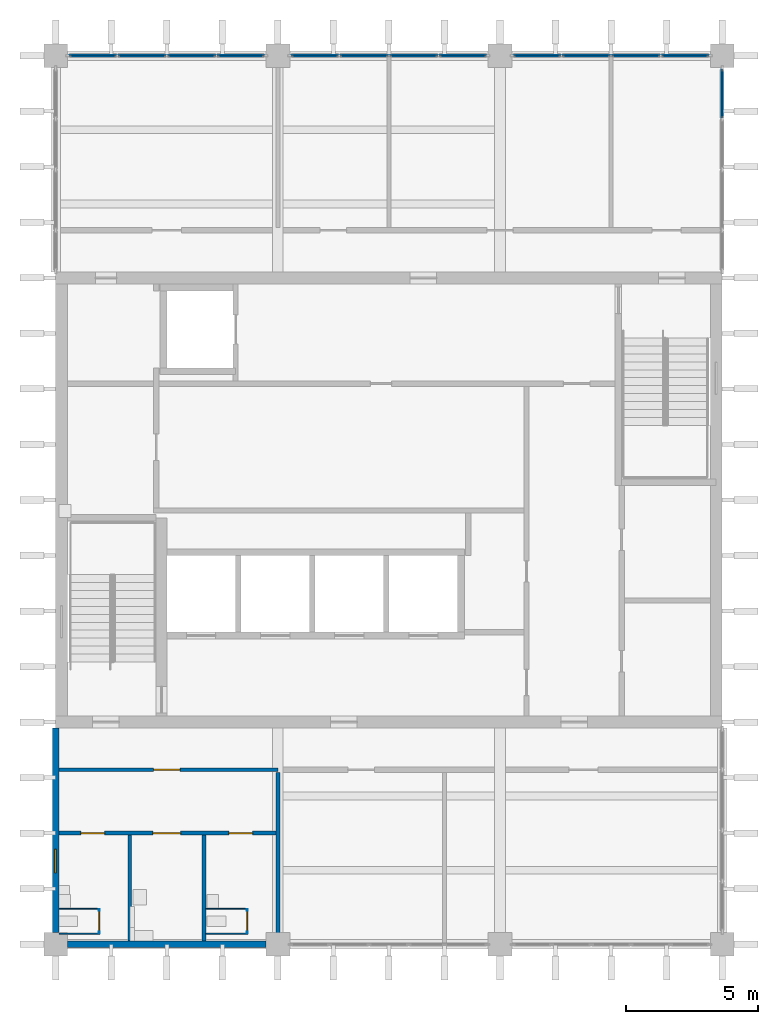
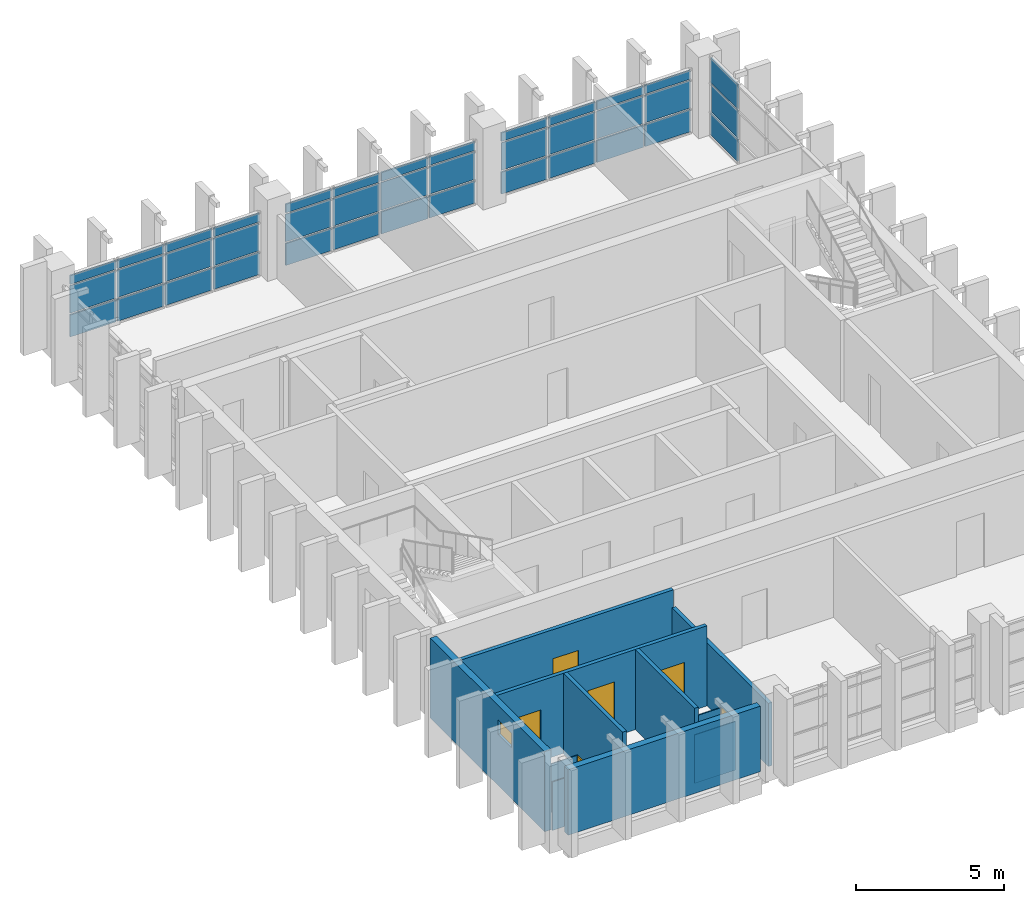
# One storey, part 6 of 10: 39 plates, 13 walls, 6 doors, 1 window, 7 openings, 4 elements without a shape of their own.
"""IFC4 building model written with IfcOpenShell, lengths in metres."""

import ifcopenshell
import ifcopenshell.guid

model = None  # the IFC model being written
_history = None  # IfcOwnerHistory: only IFC2X3 demands one
_inside = {}  # id of a spatial element -> (the spatial element, [elements in it])
_under = {}  # id of a project, library or spatial element -> (it, [spatial elements below it])
_declared = {}  # id of a project -> (the project, [libraries it declares])
_typed = {}  # id of a type object -> (the type object, [elements of that type])
_made_of = {}  # id of a material, layer set ... -> (it, [elements and type objects made of it])


def new_model(schema):
    """Start an empty IFC model of exactly this schema.

    Asked for "IFC4X3", IfcOpenShell would pick the latest addendum, in which some entities
    have other attributes; the version numbers below select the first issue.
    IFC2X3 requires an IfcOwnerHistory on every rooted entity: one is made here for all.
    """
    global model, _history
    if schema == "IFC4X3":
        model = ifcopenshell.file(schema_version=(4, 3, 0, 0))
    else:
        model = ifcopenshell.file(schema=schema)
    _inside.clear()
    _under.clear()
    _declared.clear()
    _typed.clear()
    _made_of.clear()
    _history = None
    if model.schema == "IFC2X3":
        org = make("IfcOrganization", Name="unknown")
        user = make(
            "IfcPersonAndOrganization",
            ThePerson=make("IfcPerson", FamilyName="unknown"),
            TheOrganization=org,
        )
        app = make(
            "IfcApplication",
            ApplicationDeveloper=org,
            Version="unknown",
            ApplicationFullName="unknown",
            ApplicationIdentifier="unknown",
        )
        _history = make(
            "IfcOwnerHistory",
            OwningUser=user,
            OwningApplication=app,
            ChangeAction="ADDED",
            CreationDate=0,
        )
    return model


def make(cls, **values):
    """One entity of the class cls with the attributes given. An attribute that is None is left unset."""
    return model.create_entity(
        cls, **{name: value for name, value in values.items() if value is not None}
    )


def rooted(cls, **values):
    """An entity with a GlobalId (a new one), such as an element, a storey or a relation."""
    return make(cls, GlobalId=ifcopenshell.guid.new(), OwnerHistory=_history, **values)


def si_unit(unit_type, name, prefix=None):
    """IfcSIUnit, for example si_unit("LENGTHUNIT", "METRE", prefix="MILLI")."""
    return make("IfcSIUnit", UnitType=unit_type, Prefix=prefix, Name=name)


def assignment(units):
    """IfcUnitAssignment: the units of a project."""
    return None if units is None else make("IfcUnitAssignment", Units=units)


def point(xyz):
    """IfcCartesianPoint."""
    return None if xyz is None else make("IfcCartesianPoint", Coordinates=xyz)


def direction(xyz):
    """IfcDirection."""
    return None if xyz is None else make("IfcDirection", DirectionRatios=xyz)


def frame(location, z_axis=None, x_axis=None):
    """IfcAxis2Placement3D, a coordinate frame: its origin and axes. An axis left out is left unset."""
    return make(
        "IfcAxis2Placement3D",
        Location=point(location),
        Axis=direction(z_axis),
        RefDirection=direction(x_axis),
    )


def frame_2d(location, x_axis=None):
    """IfcAxis2Placement2D, a coordinate frame in the plane: its origin and x axis."""
    return make(
        "IfcAxis2Placement2D", Location=point(location), RefDirection=direction(x_axis)
    )


def origin():
    """The frame at (0, 0, 0) with its axes left unset."""
    return frame((0.0, 0.0, 0.0))


def origin_2d():
    """The frame at (0, 0) in the plane with its x axis left unset."""
    return frame_2d((0.0, 0.0))


def place(relative_to, where):
    """IfcLocalPlacement: puts the frame where relative to a parent placement (None: the world)."""
    return make(
        "IfcLocalPlacement", PlacementRelTo=relative_to, RelativePlacement=where
    )


def context(
    kind, dimensions, precision=None, world=None, true_north=None, identifier=None
):
    """IfcGeometricRepresentationContext, for example the 3D "Model" context."""
    return make(
        "IfcGeometricRepresentationContext",
        ContextIdentifier=identifier,
        ContextType=kind,
        CoordinateSpaceDimension=dimensions,
        Precision=precision,
        WorldCoordinateSystem=world,
        TrueNorth=true_north,
    )


def subcontext(parent, identifier, kind, view, scale=None):
    """IfcGeometricRepresentationSubContext, for example "Body" below "Model"."""
    return make(
        "IfcGeometricRepresentationSubContext",
        ContextIdentifier=identifier,
        ContextType=kind,
        ParentContext=parent,
        TargetScale=scale,
        TargetView=view,
    )


def project(units=None, contexts=None):
    """IfcProject with its units and contexts."""
    return rooted(
        "IfcProject",
        Name="project",
        RepresentationContexts=contexts,
        UnitsInContext=assignment(units),
    )


def spatial(cls, under=None, at=None, **own):
    """A site, building, storey or space (cls), placed at a placement, below another one or the project."""
    s = rooted(cls, ObjectPlacement=at, **own)
    if under is not None:
        _under.setdefault(under.id(), (under, []))[1].append(s)
    return s


def profile(cls, at=None, kind="AREA", **sizes):
    """A parametric profile (cls). Its sizes go by their IFC names, for example OverallWidth=200.0."""
    return make(cls, ProfileType=kind, Position=at, **sizes)


def rectangle(**sizes):
    """IfcRectangleProfileDef."""
    return profile("IfcRectangleProfileDef", **sizes)


def extrude(swept, where, along, depth):
    """IfcExtrudedAreaSolid: the profile swept, set in the frame where, extruded along a direction by depth."""
    return make(
        "IfcExtrudedAreaSolid",
        SweptArea=swept,
        Position=where,
        ExtrudedDirection=direction(along),
        Depth=depth,
    )


def shape(context_of_items, identifier, shape_type, items):
    """IfcShapeRepresentation: the items that make up one representation, for example the "Body"."""
    return make(
        "IfcShapeRepresentation",
        ContextOfItems=context_of_items,
        RepresentationIdentifier=identifier,
        RepresentationType=shape_type,
        Items=items,
    )


def material(Name=None, Category=None):
    """IfcMaterial."""
    return make("IfcMaterial", Name=Name, Category=Category)


def layer(
    of_material, thickness, ventilated=None, Name=None, Category=None, Priority=None
):
    """IfcMaterialLayer: one layer of a wall or slab, of a material (None: an air gap)."""
    return make(
        "IfcMaterialLayer",
        Material=of_material,
        LayerThickness=thickness,
        IsVentilated=ventilated,
        Name=Name,
        Category=Category,
        Priority=Priority,
    )


def layer_set(layers, Name=None):
    """IfcMaterialLayerSet."""
    return make("IfcMaterialLayerSet", MaterialLayers=layers, LayerSetName=Name)


def made_of(thing, what):
    """Note that an element or type object is made of a material, layer set ...; save() writes the relation."""
    if what is not None:
        _made_of.setdefault(what.id(), (what, []))[1].append(thing)
    return thing


def type_object(cls, material=None, **own):
    """A type object (cls), such as IfcWallType, which elements share."""
    return made_of(rooted(cls, **own), material)


def element(
    cls,
    number,
    at=None,
    inside=None,
    cuts=None,
    type_object=None,
    material=None,
    context=None,
    identifier="Body",
    shape_type=None,
    held_by="IfcProductDefinitionShape",
    body=None,
    shapes=None,
    **own,
):
    """One element of the class cls, such as IfcWall. Its Tag is "e" and its number.

    at: its placement. inside: the storey or other place that contains it. cuts: it is an
    opening in that element (IfcRelVoidsElement). A single representation is given by context,
    identifier, shape_type and body (its items); several are given by shapes. held_by: the class
    of the entity that holds the representations. save() writes the other relations.
    """
    e = rooted(cls, Tag="e%d" % number, ObjectPlacement=at, **own)
    if body is not None:
        shapes = [shape(context, identifier, shape_type, body)]
    if shapes is not None:
        e.Representation = make(held_by, Representations=shapes)
    if inside is not None:
        _inside.setdefault(inside.id(), (inside, []))[1].append(e)
    if cuts is not None:
        rooted(
            "IfcRelVoidsElement", RelatingBuildingElement=cuts, RelatedOpeningElement=e
        )
    if type_object is not None:
        _typed.setdefault(type_object.id(), (type_object, []))[1].append(e)
    return made_of(e, material)


def fill(opening, filler):
    """IfcRelFillsElement: the door or window that sits in an opening."""
    return rooted(
        "IfcRelFillsElement",
        RelatingOpeningElement=opening,
        RelatedBuildingElement=filler,
    )


def aggregate(whole, parts):
    """IfcRelAggregates: a whole, such as a stair, and the parts it consists of."""
    return rooted("IfcRelAggregates", RelatingObject=whole, RelatedObjects=parts)


def save(model, path):
    """Write the relations noted so far, then the file.

    IfcRelAggregates (storeys below a building ...), IfcRelContainedInSpatialStructure (elements
    in a storey), IfcRelDefinesByType, IfcRelAssociatesMaterial and IfcRelDeclares: one each for
    every whole, place, type object, material and project.
    """
    for whole, parts in _under.values():
        aggregate(whole, parts)
    for where, things in _inside.values():
        rooted(
            "IfcRelContainedInSpatialStructure",
            RelatedElements=things,
            RelatingStructure=where,
        )
    for kind, things in _typed.values():
        rooted("IfcRelDefinesByType", RelatedObjects=things, RelatingType=kind)
    for what, things in _made_of.values():
        rooted("IfcRelAssociatesMaterial", RelatedObjects=things, RelatingMaterial=what)
    for by, libraries in _declared.values():
        rooted("IfcRelDeclares", RelatingContext=by, RelatedDefinitions=libraries)
    model.write(path)


model = new_model("IFC4")

# Units and contexts
model_context = context("Model", 3, precision=1e-05, world=origin(), true_north=direction((0.0, 1.0)))
body_context = subcontext(model_context, "Body", "Model", "MODEL_VIEW")
ifc_project = project(units=[si_unit("LENGTHUNIT", "METRE"), si_unit("AREAUNIT", "SQUARE_METRE"), si_unit("VOLUMEUNIT", "CUBIC_METRE"), si_unit("PLANEANGLEUNIT", "RADIAN"), si_unit("MASSUNIT", "GRAM", prefix="KILO")], contexts=[model_context])

# Site, building, storey
site_placement = place(None, origin())
site = spatial("IfcSite", under=ifc_project, at=site_placement, CompositionType="ELEMENT")
building_placement = place(site_placement, origin())
building = spatial("IfcBuilding", under=site, at=building_placement, Name="Rulbaag Community and Learning Centre", CompositionType="ELEMENT")
storey_placement = place(building_placement, frame((0.0, 0.0, 28.800048828125)))
storey = spatial("IfcBuildingStorey", under=building, at=storey_placement, Name="L07", CompositionType="ELEMENT", Elevation=28.800048828125)

# Curtain wall, plates
ifc_material_1 = material(Name="Aluminium", Category="aluminium")
ifc_layer_1 = layer(ifc_material_1, 0.14990234375)
ifc_layer_set_1 = layer_set([ifc_layer_1], Name="CW-T")
curtain_wall_type = type_object("IfcCurtainWallType", Name="CW-T", PredefinedType="USERDEFINED", material=ifc_layer_set_1)
curtain_wall_1_placement = place(storey_placement, origin())
curtain_wall_1 = element("IfcCurtainWall", 1, at=curtain_wall_1_placement, inside=storey, type_object=curtain_wall_type, Name="GT-L07-01", ObjectType="UNITISED CURTAIN WALL", PredefinedType="USERDEFINED")
ifc_layer_2 = layer(ifc_material_1, 0.06005859375)
ifc_layer_set_2 = layer_set([ifc_layer_2], Name="CW-T-SPN")
plate_type_1 = type_object("IfcPlateType", Name="CW-T-SPN", PredefinedType="CURTAIN_PANEL", material=ifc_layer_set_2)
plate_1_placement = place(storey_placement, frame((144.203857421875, 117.60009765625, 0.06494140625), z_axis=(0.0, 0.0, 1.0), x_axis=(1.0, 0.0, 0.0)))
plate_1 = element("IfcPlate", 2, at=plate_1_placement, type_object=plate_type_1, Name="GT spandrel panel", PredefinedType="CURTAIN_PANEL", context=body_context, shape_type="SweptSolid", body=[
    extrude(rectangle(XDim=1.777587890625, YDim=0.06005859375, at=origin_2d()), origin(), (0.0, 0.0, 1.0), 0.902587890625),
])
plate_2_placement = place(storey_placement, frame((144.203857421875, 117.60009765625, 2.232421875), z_axis=(0.0, 0.0, 1.0), x_axis=(1.0, 0.0, 0.0)))
plate_2 = element("IfcPlate", 3, at=plate_2_placement, type_object=plate_type_1, Name="GT spandrel panel", PredefinedType="CURTAIN_PANEL", context=body_context, shape_type="SweptSolid", body=[
    extrude(rectangle(XDim=1.777587890625, YDim=0.06005859375, at=origin_2d()), origin(), (0.0, 0.0, 1.0), 0.3525390625),
])
plate_3_placement = place(storey_placement, frame((146.0625, 117.60009765625, 0.06494140625), z_axis=(0.0, 0.0, 1.0), x_axis=(1.0, 0.0, 0.0)))
plate_3 = element("IfcPlate", 4, at=plate_3_placement, type_object=plate_type_1, Name="GT spandrel panel", PredefinedType="CURTAIN_PANEL", context=body_context, shape_type="SweptSolid", body=[
    extrude(rectangle(XDim=1.81005859375, YDim=0.06005859375, at=origin_2d()), origin(), (0.0, 0.0, 1.0), 0.902587890625),
])
plate_4_placement = place(storey_placement, frame((146.0625, 117.60009765625, 2.232421875), z_axis=(0.0, 0.0, 1.0), x_axis=(1.0, 0.0, 0.0)))
plate_4 = element("IfcPlate", 5, at=plate_4_placement, type_object=plate_type_1, Name="GT spandrel panel", PredefinedType="CURTAIN_PANEL", context=body_context, shape_type="SweptSolid", body=[
    extrude(rectangle(XDim=1.81005859375, YDim=0.06005859375, at=origin_2d()), origin(), (0.0, 0.0, 1.0), 0.3525390625),
])
plate_5_placement = place(storey_placement, frame((147.9375, 117.60009765625, 0.06494140625), z_axis=(0.0, 0.0, 1.0), x_axis=(1.0, 0.0, 0.0)))
plate_5 = element("IfcPlate", 6, at=plate_5_placement, type_object=plate_type_1, Name="GT spandrel panel", PredefinedType="CURTAIN_PANEL", context=body_context, shape_type="SweptSolid", body=[
    extrude(rectangle(XDim=1.81005859375, YDim=0.06005859375, at=origin_2d()), origin(), (0.0, 0.0, 1.0), 0.902587890625),
])
plate_6_placement = place(storey_placement, frame((147.9375, 117.60009765625, 2.232421875), z_axis=(0.0, 0.0, 1.0), x_axis=(1.0, 0.0, 0.0)))
plate_6 = element("IfcPlate", 7, at=plate_6_placement, type_object=plate_type_1, Name="GT spandrel panel", PredefinedType="CURTAIN_PANEL", context=body_context, shape_type="SweptSolid", body=[
    extrude(rectangle(XDim=1.81005859375, YDim=0.06005859375, at=origin_2d()), origin(), (0.0, 0.0, 1.0), 0.3525390625),
])
plate_7_placement = place(storey_placement, frame((149.796142578125, 117.60009765625, 0.06494140625), z_axis=(0.0, 0.0, 1.0), x_axis=(1.0, 0.0, 0.0)))
plate_7 = element("IfcPlate", 8, at=plate_7_placement, type_object=plate_type_1, Name="GT spandrel panel", PredefinedType="CURTAIN_PANEL", context=body_context, shape_type="SweptSolid", body=[
    extrude(rectangle(XDim=1.777587890625, YDim=0.06005859375, at=origin_2d()), origin(), (0.0, 0.0, 1.0), 0.902587890625),
])
plate_8_placement = place(storey_placement, frame((149.796142578125, 117.60009765625, 2.232421875), z_axis=(0.0, 0.0, 1.0), x_axis=(1.0, 0.0, 0.0)))
plate_8 = element("IfcPlate", 9, at=plate_8_placement, type_object=plate_type_1, Name="GT spandrel panel", PredefinedType="CURTAIN_PANEL", context=body_context, shape_type="SweptSolid", body=[
    extrude(rectangle(XDim=1.777587890625, YDim=0.06005859375, at=origin_2d()), origin(), (0.0, 0.0, 1.0), 0.3525390625),
])

curtain_wall_2_placement = place(storey_placement, origin())
curtain_wall_2 = element("IfcCurtainWall", 10, at=curtain_wall_2_placement, inside=storey, type_object=curtain_wall_type, Name="GT-L07-02", ObjectType="UNITISED CURTAIN WALL", PredefinedType="USERDEFINED")
plate_9_placement = place(storey_placement, frame((152.603759765625, 117.60009765625, 0.06494140625), z_axis=(0.0, 0.0, 1.0), x_axis=(1.0, 0.0, 0.0)))
plate_9 = element("IfcPlate", 11, at=plate_9_placement, type_object=plate_type_1, Name="GT spandrel panel", PredefinedType="CURTAIN_PANEL", context=body_context, shape_type="SweptSolid", body=[
    extrude(rectangle(XDim=1.777587890625, YDim=0.06005859375, at=origin_2d()), origin(), (0.0, 0.0, 1.0), 0.902587890625),
])
plate_10_placement = place(storey_placement, frame((152.603759765625, 117.60009765625, 2.232421875), z_axis=(0.0, 0.0, 1.0), x_axis=(1.0, 0.0, 0.0)))
plate_10 = element("IfcPlate", 12, at=plate_10_placement, type_object=plate_type_1, Name="GT spandrel panel", PredefinedType="CURTAIN_PANEL", context=body_context, shape_type="SweptSolid", body=[
    extrude(rectangle(XDim=1.777587890625, YDim=0.06005859375, at=origin_2d()), origin(), (0.0, 0.0, 1.0), 0.3525390625),
])
plate_11_placement = place(storey_placement, frame((154.46240234375, 117.60009765625, 0.06494140625), z_axis=(0.0, 0.0, 1.0), x_axis=(1.0, 0.0, 0.0)))
plate_11 = element("IfcPlate", 13, at=plate_11_placement, type_object=plate_type_1, Name="GT spandrel panel", PredefinedType="CURTAIN_PANEL", context=body_context, shape_type="SweptSolid", body=[
    extrude(rectangle(XDim=1.81005859375, YDim=0.06005859375, at=origin_2d()), origin(), (0.0, 0.0, 1.0), 0.902587890625),
])
plate_12_placement = place(storey_placement, frame((154.46240234375, 117.60009765625, 2.232421875), z_axis=(0.0, 0.0, 1.0), x_axis=(1.0, 0.0, 0.0)))
plate_12 = element("IfcPlate", 14, at=plate_12_placement, type_object=plate_type_1, Name="GT spandrel panel", PredefinedType="CURTAIN_PANEL", context=body_context, shape_type="SweptSolid", body=[
    extrude(rectangle(XDim=1.81005859375, YDim=0.06005859375, at=origin_2d()), origin(), (0.0, 0.0, 1.0), 0.3525390625),
])
plate_13_placement = place(storey_placement, frame((156.33740234375, 117.60009765625, 0.06494140625), z_axis=(0.0, 0.0, 1.0), x_axis=(1.0, 0.0, 0.0)))
plate_13 = element("IfcPlate", 15, at=plate_13_placement, type_object=plate_type_1, Name="GT spandrel panel", PredefinedType="CURTAIN_PANEL", context=body_context, shape_type="SweptSolid", body=[
    extrude(rectangle(XDim=1.81005859375, YDim=0.06005859375, at=origin_2d()), origin(), (0.0, 0.0, 1.0), 0.902587890625),
])
plate_14_placement = place(storey_placement, frame((156.33740234375, 117.60009765625, 2.232421875), z_axis=(0.0, 0.0, 1.0), x_axis=(1.0, 0.0, 0.0)))
plate_14 = element("IfcPlate", 16, at=plate_14_placement, type_object=plate_type_1, Name="GT spandrel panel", PredefinedType="CURTAIN_PANEL", context=body_context, shape_type="SweptSolid", body=[
    extrude(rectangle(XDim=1.81005859375, YDim=0.06005859375, at=origin_2d()), origin(), (0.0, 0.0, 1.0), 0.3525390625),
])
plate_15_placement = place(storey_placement, frame((158.1962890625, 117.60009765625, 0.06494140625), z_axis=(0.0, 0.0, 1.0), x_axis=(1.0, 0.0, 0.0)))
plate_15 = element("IfcPlate", 17, at=plate_15_placement, type_object=plate_type_1, Name="GT spandrel panel", PredefinedType="CURTAIN_PANEL", context=body_context, shape_type="SweptSolid", body=[
    extrude(rectangle(XDim=1.777587890625, YDim=0.06005859375, at=origin_2d()), origin(), (0.0, 0.0, 1.0), 0.902587890625),
])
plate_16_placement = place(storey_placement, frame((158.1962890625, 117.60009765625, 2.232421875), z_axis=(0.0, 0.0, 1.0), x_axis=(1.0, 0.0, 0.0)))
plate_16 = element("IfcPlate", 18, at=plate_16_placement, type_object=plate_type_1, Name="GT spandrel panel", PredefinedType="CURTAIN_PANEL", context=body_context, shape_type="SweptSolid", body=[
    extrude(rectangle(XDim=1.777587890625, YDim=0.06005859375, at=origin_2d()), origin(), (0.0, 0.0, 1.0), 0.3525390625),
])

curtain_wall_3_placement = place(storey_placement, origin())
curtain_wall_3 = element("IfcCurtainWall", 19, at=curtain_wall_3_placement, inside=storey, type_object=curtain_wall_type, Name="GT-L07-03", ObjectType="UNITISED CURTAIN WALL", PredefinedType="USERDEFINED")
plate_17_placement = place(storey_placement, frame((161.003662109375, 117.60009765625, 0.06494140625), z_axis=(0.0, 0.0, 1.0), x_axis=(1.0, 0.0, 0.0)))
plate_17 = element("IfcPlate", 20, at=plate_17_placement, type_object=plate_type_1, Name="GT spandrel panel", PredefinedType="CURTAIN_PANEL", context=body_context, shape_type="SweptSolid", body=[
    extrude(rectangle(XDim=1.777587890625, YDim=0.06005859375, at=origin_2d()), origin(), (0.0, 0.0, 1.0), 0.902587890625),
])
plate_18_placement = place(storey_placement, frame((161.003662109375, 117.60009765625, 2.232421875), z_axis=(0.0, 0.0, 1.0), x_axis=(1.0, 0.0, 0.0)))
plate_18 = element("IfcPlate", 21, at=plate_18_placement, type_object=plate_type_1, Name="GT spandrel panel", PredefinedType="CURTAIN_PANEL", context=body_context, shape_type="SweptSolid", body=[
    extrude(rectangle(XDim=1.777587890625, YDim=0.06005859375, at=origin_2d()), origin(), (0.0, 0.0, 1.0), 0.3525390625),
])
plate_19_placement = place(storey_placement, frame((162.862548828125, 117.60009765625, 0.06494140625), z_axis=(0.0, 0.0, 1.0), x_axis=(1.0, 0.0, 0.0)))
plate_19 = element("IfcPlate", 22, at=plate_19_placement, type_object=plate_type_1, Name="GT spandrel panel", PredefinedType="CURTAIN_PANEL", context=body_context, shape_type="SweptSolid", body=[
    extrude(rectangle(XDim=1.81005859375, YDim=0.06005859375, at=origin_2d()), origin(), (0.0, 0.0, 1.0), 0.902587890625),
])
plate_20_placement = place(storey_placement, frame((162.862548828125, 117.60009765625, 2.232421875), z_axis=(0.0, 0.0, 1.0), x_axis=(1.0, 0.0, 0.0)))
plate_20 = element("IfcPlate", 23, at=plate_20_placement, type_object=plate_type_1, Name="GT spandrel panel", PredefinedType="CURTAIN_PANEL", context=body_context, shape_type="SweptSolid", body=[
    extrude(rectangle(XDim=1.81005859375, YDim=0.06005859375, at=origin_2d()), origin(), (0.0, 0.0, 1.0), 0.3525390625),
])
plate_21_placement = place(storey_placement, frame((164.737548828125, 117.60009765625, 0.06494140625), z_axis=(0.0, 0.0, 1.0), x_axis=(1.0, 0.0, 0.0)))
plate_21 = element("IfcPlate", 24, at=plate_21_placement, type_object=plate_type_1, Name="GT spandrel panel", PredefinedType="CURTAIN_PANEL", context=body_context, shape_type="SweptSolid", body=[
    extrude(rectangle(XDim=1.81005859375, YDim=0.06005859375, at=origin_2d()), origin(), (0.0, 0.0, 1.0), 0.902587890625),
])
plate_22_placement = place(storey_placement, frame((164.737548828125, 117.60009765625, 2.232421875), z_axis=(0.0, 0.0, 1.0), x_axis=(1.0, 0.0, 0.0)))
plate_22 = element("IfcPlate", 25, at=plate_22_placement, type_object=plate_type_1, Name="GT spandrel panel", PredefinedType="CURTAIN_PANEL", context=body_context, shape_type="SweptSolid", body=[
    extrude(rectangle(XDim=1.81005859375, YDim=0.06005859375, at=origin_2d()), origin(), (0.0, 0.0, 1.0), 0.3525390625),
])
plate_23_placement = place(storey_placement, frame((166.59619140625, 117.60009765625, 0.06494140625), z_axis=(0.0, 0.0, 1.0), x_axis=(1.0, 0.0, 0.0)))
plate_23 = element("IfcPlate", 26, at=plate_23_placement, type_object=plate_type_1, Name="GT spandrel panel", PredefinedType="CURTAIN_PANEL", context=body_context, shape_type="SweptSolid", body=[
    extrude(rectangle(XDim=1.777587890625, YDim=0.06005859375, at=origin_2d()), origin(), (0.0, 0.0, 1.0), 0.902587890625),
])
plate_24_placement = place(storey_placement, frame((166.59619140625, 117.60009765625, 2.232421875), z_axis=(0.0, 0.0, 1.0), x_axis=(1.0, 0.0, 0.0)))
plate_24 = element("IfcPlate", 27, at=plate_24_placement, type_object=plate_type_1, Name="GT spandrel panel", PredefinedType="CURTAIN_PANEL", context=body_context, shape_type="SweptSolid", body=[
    extrude(rectangle(XDim=1.777587890625, YDim=0.06005859375, at=origin_2d()), origin(), (0.0, 0.0, 1.0), 0.3525390625),
])

curtain_wall_4_placement = place(storey_placement, origin())
curtain_wall_4 = element("IfcCurtainWall", 28, at=curtain_wall_4_placement, inside=storey, type_object=curtain_wall_type, Name="GT-L07-06", ObjectType="UNITISED CURTAIN WALL", PredefinedType="USERDEFINED")
plate_25_placement = place(storey_placement, frame((168.0, 116.168212890625, 0.06494140625), z_axis=(0.0, 0.0, 1.0), x_axis=(0.0, 1.0, 0.0)))
plate_25 = element("IfcPlate", 29, at=plate_25_placement, type_object=plate_type_1, Name="GT spandrel panel", PredefinedType="CURTAIN_PANEL", context=body_context, shape_type="SweptSolid", body=[
    extrude(rectangle(XDim=1.833740234375, YDim=0.06005859375, at=origin_2d()), origin(), (0.0, 0.0, 1.0), 0.902587890625),
])
plate_26_placement = place(storey_placement, frame((168.0, 116.168212890625, 2.232421875), z_axis=(0.0, 0.0, 1.0), x_axis=(0.0, 1.0, 0.0)))
plate_26 = element("IfcPlate", 30, at=plate_26_placement, type_object=plate_type_1, Name="GT spandrel panel", PredefinedType="CURTAIN_PANEL", context=body_context, shape_type="SweptSolid", body=[
    extrude(rectangle(XDim=1.833740234375, YDim=0.06005859375, at=origin_2d()), origin(), (0.0, 0.0, 1.0), 1.00244140625),
])

# Plate
ifc_material_2 = material(Name="Glass", Category="glass")
ifc_layer_3 = layer(ifc_material_2, 0.028076171875)
ifc_layer_set_3 = layer_set([ifc_layer_3], Name="CW-T-VIS")
plate_type_2 = type_object("IfcPlateType", Name="CW-T-VIS", PredefinedType="CURTAIN_PANEL", material=ifc_layer_set_3)
plate_27_placement = place(storey_placement, frame((144.203857421875, 117.60009765625, 1.0322265625), z_axis=(0.0, 0.0, 1.0), x_axis=(1.0, 0.0, 0.0)))
plate_27 = element("IfcPlate", 31, at=plate_27_placement, type_object=plate_type_2, Name="GT vision panel", PredefinedType="CURTAIN_PANEL", context=body_context, shape_type="SweptSolid", body=[
    extrude(rectangle(XDim=1.777587890625, YDim=0.028076171875, at=origin_2d()), origin(), (0.0, 0.0, 1.0), 1.135009765625),
])

plate_28_placement = place(storey_placement, frame((146.0625, 117.60009765625, 1.0322265625), z_axis=(0.0, 0.0, 1.0), x_axis=(1.0, 0.0, 0.0)))
plate_28 = element("IfcPlate", 32, at=plate_28_placement, type_object=plate_type_2, Name="GT vision panel", PredefinedType="CURTAIN_PANEL", context=body_context, shape_type="SweptSolid", body=[
    extrude(rectangle(XDim=1.81005859375, YDim=0.028076171875, at=origin_2d()), origin(), (0.0, 0.0, 1.0), 1.135009765625),
])

plate_29_placement = place(storey_placement, frame((147.9375, 117.60009765625, 1.0322265625), z_axis=(0.0, 0.0, 1.0), x_axis=(1.0, 0.0, 0.0)))
plate_29 = element("IfcPlate", 33, at=plate_29_placement, type_object=plate_type_2, Name="GT vision panel", PredefinedType="CURTAIN_PANEL", context=body_context, shape_type="SweptSolid", body=[
    extrude(rectangle(XDim=1.81005859375, YDim=0.028076171875, at=origin_2d()), origin(), (0.0, 0.0, 1.0), 1.135009765625),
])

plate_30_placement = place(storey_placement, frame((149.796142578125, 117.60009765625, 1.0322265625), z_axis=(0.0, 0.0, 1.0), x_axis=(1.0, 0.0, 0.0)))
plate_30 = element("IfcPlate", 34, at=plate_30_placement, type_object=plate_type_2, Name="GT vision panel", PredefinedType="CURTAIN_PANEL", context=body_context, shape_type="SweptSolid", body=[
    extrude(rectangle(XDim=1.777587890625, YDim=0.028076171875, at=origin_2d()), origin(), (0.0, 0.0, 1.0), 1.135009765625),
])

aggregate(curtain_wall_1, [plate_1, plate_27, plate_2, plate_3, plate_28, plate_4, plate_5, plate_29, plate_6, plate_7, plate_30, plate_8])

plate_31_placement = place(storey_placement, frame((152.603759765625, 117.60009765625, 1.0322265625), z_axis=(0.0, 0.0, 1.0), x_axis=(1.0, 0.0, 0.0)))
plate_31 = element("IfcPlate", 35, at=plate_31_placement, type_object=plate_type_2, Name="GT vision panel", PredefinedType="CURTAIN_PANEL", context=body_context, shape_type="SweptSolid", body=[
    extrude(rectangle(XDim=1.777587890625, YDim=0.028076171875, at=origin_2d()), origin(), (0.0, 0.0, 1.0), 1.135009765625),
])

plate_32_placement = place(storey_placement, frame((154.46240234375, 117.60009765625, 1.0322265625), z_axis=(0.0, 0.0, 1.0), x_axis=(1.0, 0.0, 0.0)))
plate_32 = element("IfcPlate", 36, at=plate_32_placement, type_object=plate_type_2, Name="GT vision panel", PredefinedType="CURTAIN_PANEL", context=body_context, shape_type="SweptSolid", body=[
    extrude(rectangle(XDim=1.81005859375, YDim=0.028076171875, at=origin_2d()), origin(), (0.0, 0.0, 1.0), 1.135009765625),
])

plate_33_placement = place(storey_placement, frame((156.33740234375, 117.60009765625, 1.0322265625), z_axis=(0.0, 0.0, 1.0), x_axis=(1.0, 0.0, 0.0)))
plate_33 = element("IfcPlate", 37, at=plate_33_placement, type_object=plate_type_2, Name="GT vision panel", PredefinedType="CURTAIN_PANEL", context=body_context, shape_type="SweptSolid", body=[
    extrude(rectangle(XDim=1.81005859375, YDim=0.028076171875, at=origin_2d()), origin(), (0.0, 0.0, 1.0), 1.135009765625),
])

plate_34_placement = place(storey_placement, frame((158.1962890625, 117.60009765625, 1.0322265625), z_axis=(0.0, 0.0, 1.0), x_axis=(1.0, 0.0, 0.0)))
plate_34 = element("IfcPlate", 38, at=plate_34_placement, type_object=plate_type_2, Name="GT vision panel", PredefinedType="CURTAIN_PANEL", context=body_context, shape_type="SweptSolid", body=[
    extrude(rectangle(XDim=1.777587890625, YDim=0.028076171875, at=origin_2d()), origin(), (0.0, 0.0, 1.0), 1.135009765625),
])

aggregate(curtain_wall_2, [plate_9, plate_31, plate_10, plate_11, plate_32, plate_12, plate_13, plate_33, plate_14, plate_15, plate_34, plate_16])

plate_35_placement = place(storey_placement, frame((161.003662109375, 117.60009765625, 1.0322265625), z_axis=(0.0, 0.0, 1.0), x_axis=(1.0, 0.0, 0.0)))
plate_35 = element("IfcPlate", 39, at=plate_35_placement, type_object=plate_type_2, Name="GT vision panel", PredefinedType="CURTAIN_PANEL", context=body_context, shape_type="SweptSolid", body=[
    extrude(rectangle(XDim=1.777587890625, YDim=0.028076171875, at=origin_2d()), origin(), (0.0, 0.0, 1.0), 1.135009765625),
])

plate_36_placement = place(storey_placement, frame((162.862548828125, 117.60009765625, 1.0322265625), z_axis=(0.0, 0.0, 1.0), x_axis=(1.0, 0.0, 0.0)))
plate_36 = element("IfcPlate", 40, at=plate_36_placement, type_object=plate_type_2, Name="GT vision panel", PredefinedType="CURTAIN_PANEL", context=body_context, shape_type="SweptSolid", body=[
    extrude(rectangle(XDim=1.81005859375, YDim=0.028076171875, at=origin_2d()), origin(), (0.0, 0.0, 1.0), 1.135009765625),
])

plate_37_placement = place(storey_placement, frame((164.737548828125, 117.60009765625, 1.0322265625), z_axis=(0.0, 0.0, 1.0), x_axis=(1.0, 0.0, 0.0)))
plate_37 = element("IfcPlate", 41, at=plate_37_placement, type_object=plate_type_2, Name="GT vision panel", PredefinedType="CURTAIN_PANEL", context=body_context, shape_type="SweptSolid", body=[
    extrude(rectangle(XDim=1.81005859375, YDim=0.028076171875, at=origin_2d()), origin(), (0.0, 0.0, 1.0), 1.135009765625),
])

plate_38_placement = place(storey_placement, frame((166.59619140625, 117.60009765625, 1.0322265625), z_axis=(0.0, 0.0, 1.0), x_axis=(1.0, 0.0, 0.0)))
plate_38 = element("IfcPlate", 42, at=plate_38_placement, type_object=plate_type_2, Name="GT vision panel", PredefinedType="CURTAIN_PANEL", context=body_context, shape_type="SweptSolid", body=[
    extrude(rectangle(XDim=1.777587890625, YDim=0.028076171875, at=origin_2d()), origin(), (0.0, 0.0, 1.0), 1.135009765625),
])

aggregate(curtain_wall_3, [plate_17, plate_35, plate_18, plate_19, plate_36, plate_20, plate_21, plate_37, plate_22, plate_23, plate_38, plate_24])

plate_39_placement = place(storey_placement, frame((168.0, 116.168212890625, 1.0322265625), z_axis=(0.0, 0.0, 1.0), x_axis=(0.0, 1.0, 0.0)))
plate_39 = element("IfcPlate", 43, at=plate_39_placement, type_object=plate_type_2, Name="GT vision panel", PredefinedType="CURTAIN_PANEL", context=body_context, shape_type="SweptSolid", body=[
    extrude(rectangle(XDim=1.833740234375, YDim=0.028076171875, at=origin_2d()), origin(), (0.0, 0.0, 1.0), 1.135009765625),
])

aggregate(curtain_wall_4, [plate_25, plate_39, plate_26])

# Walls
ifc_material_3 = material(Name="High pressure laminate", Category="wood")
ifc_layer_4 = layer(ifc_material_3, 0.0400390625)
ifc_layer_set_4 = layer_set([ifc_layer_4], Name="CP-40")
wall_type_1 = type_object("IfcWallType", Name="CP-40", PredefinedType="PARTITIONING", material=ifc_layer_set_4)
wall_1_placement = place(storey_placement, frame((142.929931640625, 84.39990234375, 0.0), z_axis=(0.0, 0.0, 1.0), x_axis=(1.0, 0.0, 0.0)))
element("IfcWall", 44, at=wall_1_placement, inside=storey, type_object=wall_type_1, Name="Cubicle partition", PredefinedType="PARTITIONING", context=body_context, shape_type="SweptSolid", body=[
    extrude(rectangle(XDim=1.5400390625, YDim=0.0400390625, at=frame_2d((0.77001953125, 0.0))), origin(), (0.0, 0.0, 1.0), 2.0),
])
wall_2_placement = place(storey_placement, frame((142.925048828125, 85.340087890625, 0.0), z_axis=(0.0, 0.0, 1.0), x_axis=(1.0, 0.0, 0.0)))
element("IfcWall", 45, at=wall_2_placement, inside=storey, type_object=wall_type_1, Name="Cubicle partition", PredefinedType="PARTITIONING", context=body_context, shape_type="SweptSolid", body=[
    extrude(rectangle(XDim=1.544921875, YDim=0.0400390625, at=frame_2d((0.7724609375, 0.0))), origin(), (0.0, 0.0, 1.0), 2.0),
])

# Wall, opening, door
wall_3_placement = place(storey_placement, frame((144.449951171875, 84.419921875, 0.0), z_axis=(0.0, 0.0, 1.0), x_axis=(0.0, 1.0, 0.0)))
wall_3 = element("IfcWall", 46, at=wall_3_placement, inside=storey, type_object=wall_type_1, Name="Cubicle partition", PredefinedType="PARTITIONING", context=body_context, shape_type="SweptSolid", body=[
    extrude(rectangle(XDim=0.900146484375, YDim=0.0400390625, at=frame_2d((0.4501953125, 0.0))), origin(), (0.0, 0.0, 1.0), 2.0),
])
opening_1_placement = place(wall_3_placement, frame((0.050048828125, 0.0, 0.0)))
opening_1 = element("IfcOpeningElement", 47, at=opening_1_placement, cuts=wall_3, Name="Opening L07-D002", PredefinedType="OPENING", context=body_context, shape_type="SweptSolid", body=[
    extrude(rectangle(XDim=0.800048828125, YDim=2.0, at=frame_2d((0.39990234375, 1.0))), frame((0.0, 0.030029296875, 0.0), z_axis=(0.0, -1.0, 0.0), x_axis=(1.0, 0.0, 0.0)), (0.0, 0.0, 1.0), 0.06005859375),
])
door_type_1 = type_object("IfcDoorType", Name="DC-80", OperationType="SINGLE_SWING_LEFT", PredefinedType="DOOR", material=ifc_material_3)
door_1_placement = place(opening_1_placement, origin())
door_1 = element("IfcDoor", 48, at=door_1_placement, inside=storey, type_object=door_type_1, Name="Cubicle door", OperationType="SINGLE_SWING_LEFT", OverallHeight=2.0, OverallWidth=0.800048828125, PredefinedType="DOOR", context=body_context, shape_type="SweptSolid", body=[
    extrude(rectangle(XDim=0.800048828125, YDim=2.0, at=frame_2d((0.39990234375, 1.0))), frame((0.0, 0.019775390625, 0.0), z_axis=(0.0, -1.0, 0.0), x_axis=(1.0, 0.0, 0.0)), (0.0, 0.0, 1.0), 0.03955078125),
])
fill(opening_1, door_1)

# Walls
for number, where, z_axis, x_axis, name in (
    (49, (148.47509765625, 84.39990234375, 0.0), (0.0, 0.0, 1.0), (1.0, 0.0, 0.0), "Cubicle partition"),
    (50, (148.47509765625, 85.340087890625, 0.0), (0.0, 0.0, 1.0), (1.0, 0.0, 0.0), "Cubicle partition"),
):
    element("IfcWall", number, at=place(storey_placement, frame(where, z_axis=z_axis, x_axis=x_axis)), inside=storey, type_object=wall_type_1, Name=name, PredefinedType="PARTITIONING", context=body_context, shape_type="SweptSolid", body=[
        extrude(rectangle(XDim=1.594970703125, YDim=0.0400390625, at=frame_2d((0.79736328125, 0.0))), origin(), (0.0, 0.0, 1.0), 2.0),
    ])

# Wall, opening, door
wall_4_placement = place(storey_placement, frame((150.050048828125, 84.419921875, 0.0), z_axis=(0.0, 0.0, 1.0), x_axis=(0.0, 1.0, 0.0)))
wall_4 = element("IfcWall", 51, at=wall_4_placement, inside=storey, type_object=wall_type_1, Name="Cubicle partition", PredefinedType="PARTITIONING", context=body_context, shape_type="SweptSolid", body=[
    extrude(rectangle(XDim=0.900146484375, YDim=0.0400390625, at=frame_2d((0.4501953125, 0.0))), origin(), (0.0, 0.0, 1.0), 2.0),
])
opening_2_placement = place(wall_4_placement, frame((0.050048828125, 0.0, 0.0)))
opening_2 = element("IfcOpeningElement", 52, at=opening_2_placement, cuts=wall_4, Name="Opening L07-D013", PredefinedType="OPENING", context=body_context, shape_type="SweptSolid", body=[
    extrude(rectangle(XDim=0.800048828125, YDim=2.0, at=frame_2d((0.39990234375, 1.0))), frame((0.0, 0.030029296875, 0.0), z_axis=(0.0, -1.0, 0.0), x_axis=(1.0, 0.0, 0.0)), (0.0, 0.0, 1.0), 0.06005859375),
])
door_2_placement = place(opening_2_placement, origin())
door_2 = element("IfcDoor", 53, at=door_2_placement, inside=storey, type_object=door_type_1, Name="Cubicle door", OperationType="SINGLE_SWING_LEFT", OverallHeight=2.0, OverallWidth=0.800048828125, PredefinedType="DOOR", context=body_context, shape_type="SweptSolid", body=[
    extrude(rectangle(XDim=0.800048828125, YDim=2.0, at=frame_2d((0.39990234375, 1.0))), frame((0.0, 0.019775390625, 0.0), z_axis=(0.0, -1.0, 0.0), x_axis=(1.0, 0.0, 0.0)), (0.0, 0.0, 1.0), 0.03955078125),
])
fill(opening_2, door_2)

# Wall
ifc_material_4 = material(Name="Concrete M40", Category="concrete")
ifc_layer_5 = layer(ifc_material_4, 0.25)
ifc_layer_set_5 = layer_set([ifc_layer_5], Name="EW-CONC250")
wall_type_2 = type_object("IfcWallType", Name="EW-CONC250", PredefinedType="STANDARD", material=ifc_layer_set_5)
wall_5_placement = place(storey_placement, frame((143.25, 84.0, 0.0), z_axis=(0.0, 0.0, 1.0), x_axis=(1.0, 0.0, 0.0)))
element("IfcWall", 54, at=wall_5_placement, inside=storey, type_object=wall_type_2, Name="Board-marked concrete cladding wall BS", PredefinedType="STANDARD", context=body_context, shape_type="SweptSolid", body=[
    extrude(rectangle(XDim=7.5, YDim=0.25, at=frame_2d((3.75, 0.0))), origin(), (0.0, 0.0, 1.0), 2.699951171875),
])

# Wall, opening, window
wall_6_placement = place(storey_placement, frame((142.800048828125, 84.449951171875, 0.0), z_axis=(0.0, 0.0, 1.0), x_axis=(0.0, 1.0, 0.0)))
wall_6 = element("IfcWall", 55, at=wall_6_placement, inside=storey, type_object=wall_type_2, Name="Board-marked concrete cladding wall BW", PredefinedType="STANDARD", context=body_context, shape_type="SweptSolid", body=[
    extrude(rectangle(XDim=7.72509765625, YDim=0.25, at=frame_2d((3.862548828125, 0.0))), origin(), (0.0, 0.0, 1.0), 3.300048828125),
])
opening_3_placement = place(wall_6_placement, frame((2.25, 0.0, 2.10009765625)))
opening_3 = element("IfcOpeningElement", 56, at=opening_3_placement, cuts=wall_6, Name="Opening WN5", PredefinedType="OPENING", context=body_context, shape_type="SweptSolid", body=[
    extrude(rectangle(XDim=0.89990234375, YDim=0.60009765625, at=frame_2d((0.449951171875, 0.300048828125))), frame((0.0, 0.135009765625, 0.0), z_axis=(0.0, -1.0, 0.0), x_axis=(1.0, 0.0, 0.0)), (0.0, 0.0, 1.0), 0.27001953125),
])
window_type = type_object("IfcWindowType", Name="WK-09", PartitioningType="SINGLE_PANEL", PredefinedType="WINDOW", material=ifc_material_1)
window_placement = place(opening_3_placement, origin())
window = element("IfcWindow", 57, at=window_placement, inside=storey, type_object=window_type, Name="Window WN5", OverallHeight=0.60009765625, OverallWidth=0.89990234375, PartitioningType="SINGLE_PANEL", PredefinedType="WINDOW", context=body_context, shape_type="SweptSolid", body=[
    extrude(rectangle(XDim=0.89990234375, YDim=0.60009765625, at=frame_2d((0.449951171875, 0.300048828125))), frame((0.0, 0.030029296875, 0.0), z_axis=(0.0, -1.0, 0.0), x_axis=(1.0, 0.0, 0.0)), (0.0, 0.0, 1.0), 0.06005859375),
])
fill(opening_3, window)

# Wall, openings, doors
ifc_material_5 = material(Name="Concrete blockwork", Category="masonry")
ifc_layer_6 = layer(ifc_material_5, 0.14990234375)
ifc_layer_set_6 = layer_set([ifc_layer_6], Name="IP-150 PARTITION 150")
wall_type_3 = type_object("IfcWallType", Name="IP-150 PARTITION 150", PredefinedType="PARTITIONING", material=ifc_layer_set_6)
wall_7_placement = place(storey_placement, frame((142.925048828125, 88.199951171875, 0.0), z_axis=(0.0, 0.0, 1.0), x_axis=(1.0, 0.0, 0.0)))
wall_7 = element("IfcWall", 58, at=wall_7_placement, inside=storey, type_object=wall_type_3, Name="Partition L07 1", PredefinedType="PARTITIONING", context=body_context, shape_type="SweptSolid", body=[
    extrude(rectangle(XDim=8.199951171875, YDim=0.14990234375, at=frame_2d((4.10009765625, 0.0))), origin(), (0.0, 0.0, 1.0), 3.300048828125),
])
opening_4_placement = place(wall_7_placement, frame((0.824951171875, 0.0, 0.0)))
opening_4 = element("IfcOpeningElement", 59, at=opening_4_placement, cuts=wall_7, Name="Opening L07-D001", PredefinedType="OPENING", context=body_context, shape_type="SweptSolid", body=[
    extrude(rectangle(XDim=0.89990234375, YDim=2.10009765625, at=frame_2d((0.449951171875, 1.050048828125))), frame((0.0, 0.0849609375, 0.0), z_axis=(0.0, -1.0, 0.0), x_axis=(1.0, 0.0, 0.0)), (0.0, 0.0, 1.0), 0.169921875),
])
opening_5_placement = place(wall_7_placement, frame((3.550048828125, 0.0, 0.0)))
opening_5 = element("IfcOpeningElement", 60, at=opening_5_placement, cuts=wall_7, Name="Opening L07-D007", PredefinedType="OPENING", context=body_context, shape_type="SweptSolid", body=[
    extrude(rectangle(XDim=1.050048828125, YDim=2.25, at=frame_2d((0.52490234375, 1.125))), frame((0.0, 0.0849609375, 0.0), z_axis=(0.0, -1.0, 0.0), x_axis=(1.0, 0.0, 0.0)), (0.0, 0.0, 1.0), 0.169921875),
])
opening_6_placement = place(wall_7_placement, frame((6.425048828125, 0.0, 0.0)))
opening_6 = element("IfcOpeningElement", 61, at=opening_6_placement, cuts=wall_7, Name="Opening L07-D012", PredefinedType="OPENING", context=body_context, shape_type="SweptSolid", body=[
    extrude(rectangle(XDim=0.89990234375, YDim=2.10009765625, at=frame_2d((0.449951171875, 1.050048828125))), frame((0.0, 0.0849609375, 0.0), z_axis=(0.0, -1.0, 0.0), x_axis=(1.0, 0.0, 0.0)), (0.0, 0.0, 1.0), 0.169921875),
])
ifc_material_6 = material(Name="Timber", Category="wood")
door_type_2 = type_object("IfcDoorType", Name="D-1050 ACCESSIBLE TOILET DOOR 1050 x 2250", OperationType="SINGLE_SWING_LEFT", PredefinedType="DOOR", material=ifc_material_6)
door_3_placement = place(opening_5_placement, origin())
door_3 = element("IfcDoor", 62, at=door_3_placement, inside=storey, type_object=door_type_2, Name="Door L07-D007", OperationType="SINGLE_SWING_LEFT", OverallHeight=2.25, OverallWidth=1.050048828125, PredefinedType="DOOR", context=body_context, shape_type="SweptSolid", body=[
    extrude(rectangle(XDim=1.050048828125, YDim=2.25, at=frame_2d((0.52490234375, 1.125))), frame((0.0, 0.02490234375, 0.0), z_axis=(0.0, -1.0, 0.0), x_axis=(1.0, 0.0, 0.0)), (0.0, 0.0, 1.0), 0.050048828125),
])
fill(opening_5, door_3)
door_type_3 = type_object("IfcDoorType", Name="DW-900 TOILET DOOR 900 x 2100", OperationType="SINGLE_SWING_LEFT", PredefinedType="DOOR", material=ifc_material_6)
door_4_placement = place(opening_4_placement, origin())
door_4 = element("IfcDoor", 63, at=door_4_placement, inside=storey, type_object=door_type_3, Name="Door L07-D001", OperationType="SINGLE_SWING_LEFT", OverallHeight=2.10009765625, OverallWidth=0.89990234375, PredefinedType="DOOR", context=body_context, shape_type="SweptSolid", body=[
    extrude(rectangle(XDim=0.89990234375, YDim=2.10009765625, at=frame_2d((0.449951171875, 1.050048828125))), frame((0.0, 0.02490234375, 0.0), z_axis=(0.0, -1.0, 0.0), x_axis=(1.0, 0.0, 0.0)), (0.0, 0.0, 1.0), 0.050048828125),
])
fill(opening_4, door_4)
door_5_placement = place(opening_6_placement, origin())
door_5 = element("IfcDoor", 64, at=door_5_placement, inside=storey, type_object=door_type_3, Name="Door L07-D012", OperationType="SINGLE_SWING_RIGHT", OverallHeight=2.10009765625, OverallWidth=0.89990234375, PredefinedType="DOOR", context=body_context, shape_type="SweptSolid", body=[
    extrude(rectangle(XDim=0.89990234375, YDim=2.10009765625, at=frame_2d((0.449951171875, 1.050048828125))), frame((0.0, 0.02490234375, 0.0), z_axis=(0.0, -1.0, 0.0), x_axis=(1.0, 0.0, 0.0)), (0.0, 0.0, 1.0), 0.050048828125),
])
fill(opening_6, door_5)

# Wall, opening, door
wall_8_placement = place(storey_placement, frame((142.925048828125, 90.60009765625, 0.0), z_axis=(0.0, 0.0, 1.0), x_axis=(1.0, 0.0, 0.0)))
wall_8 = element("IfcWall", 65, at=wall_8_placement, inside=storey, type_object=wall_type_3, Name="Partition L07 2", PredefinedType="PARTITIONING", context=body_context, shape_type="SweptSolid", body=[
    extrude(rectangle(XDim=8.27490234375, YDim=0.14990234375, at=frame_2d((4.137451171875, 0.0))), origin(), (0.0, 0.0, 1.0), 3.300048828125),
])
opening_7_placement = place(wall_8_placement, frame((3.574951171875, 0.0, 0.0)))
opening_7 = element("IfcOpeningElement", 66, at=opening_7_placement, cuts=wall_8, Name="Opening L07-D008", PredefinedType="OPENING", context=body_context, shape_type="SweptSolid", body=[
    extrude(rectangle(XDim=1.0, YDim=2.10009765625, at=frame_2d((0.5, 1.050048828125))), frame((0.0, 0.0849609375, 0.0), z_axis=(0.0, -1.0, 0.0), x_axis=(1.0, 0.0, 0.0)), (0.0, 0.0, 1.0), 0.169921875),
])
door_type_4 = type_object("IfcDoorType", Name="D-1000 DOOR 1000 x 2100", OperationType="SINGLE_SWING_LEFT", PredefinedType="DOOR", material=ifc_material_6)
door_6_placement = place(opening_7_placement, origin())
door_6 = element("IfcDoor", 67, at=door_6_placement, inside=storey, type_object=door_type_4, Name="Door L07-D008", OperationType="SINGLE_SWING_RIGHT", OverallHeight=2.10009765625, OverallWidth=1.0, PredefinedType="DOOR", context=body_context, shape_type="SweptSolid", body=[
    extrude(rectangle(XDim=1.0, YDim=2.10009765625, at=frame_2d((0.5, 1.050048828125))), frame((0.0, 0.02490234375, 0.0), z_axis=(0.0, -1.0, 0.0), x_axis=(1.0, 0.0, 0.0)), (0.0, 0.0, 1.0), 0.050048828125),
])
fill(opening_7, door_6)

# Walls
for number, where, z_axis, x_axis, name in (
    (68, (145.60009765625, 84.125, 0.0), (0.0, 0.0, 1.0), (0.0, 1.0, 0.0), "Partition L07 11"),
    (69, (148.39990234375, 84.125, 0.0), (0.0, 0.0, 1.0), (0.0, 1.0, 0.0), "Partition L07 14"),
):
    element("IfcWall", number, at=place(storey_placement, frame(where, z_axis=z_axis, x_axis=x_axis)), inside=storey, type_object=wall_type_3, Name=name, PredefinedType="PARTITIONING", context=body_context, shape_type="SweptSolid", body=[
        extrude(rectangle(XDim=4.0, YDim=0.14990234375, at=frame_2d((2.0, 0.0))), origin(), (0.0, 0.0, 1.0), 3.300048828125),
    ])
wall_9_placement = place(storey_placement, frame((151.199951171875, 84.0, 0.0), z_axis=(0.0, 0.0, 1.0), x_axis=(0.0, 1.0, 0.0)))
element("IfcWall", 70, at=wall_9_placement, inside=storey, type_object=wall_type_3, Name="Partition L07 16", PredefinedType="PARTITIONING", context=body_context, shape_type="SweptSolid", body=[
    extrude(rectangle(XDim=6.5, YDim=0.14990234375, at=frame_2d((3.25, 0.0))), origin(), (0.0, 0.0, 1.0), 2.599853515625),
])

save(model, "model.ifc")
